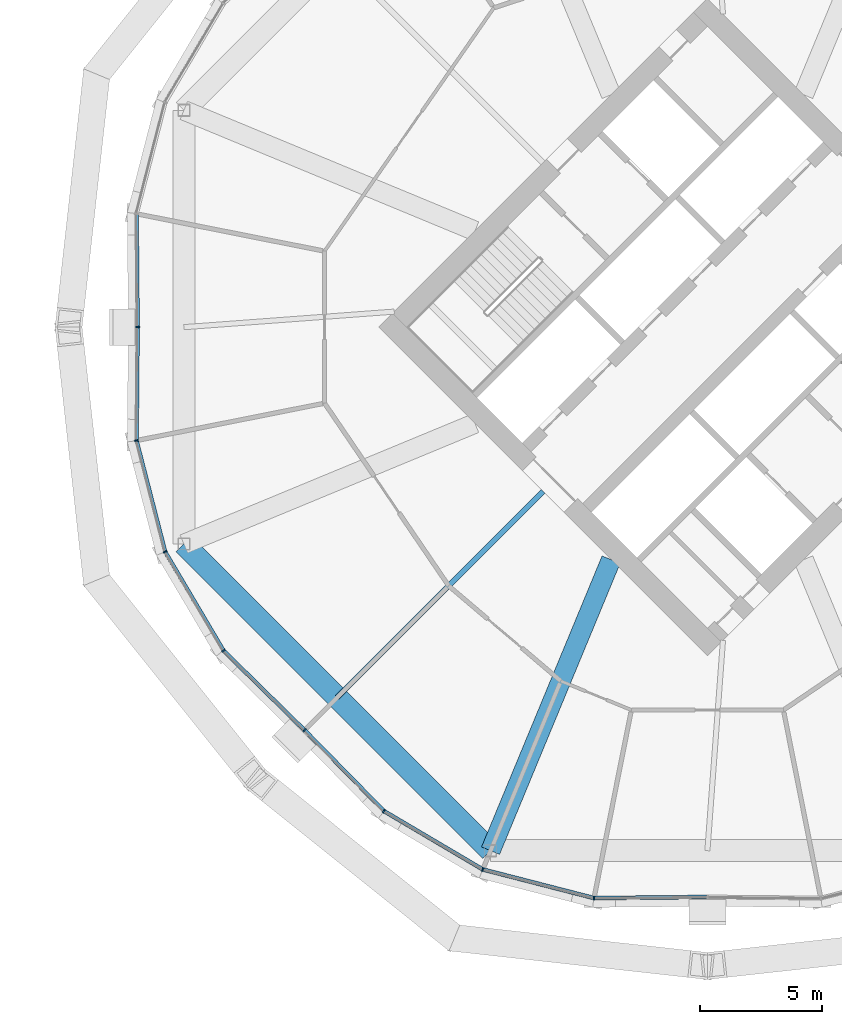
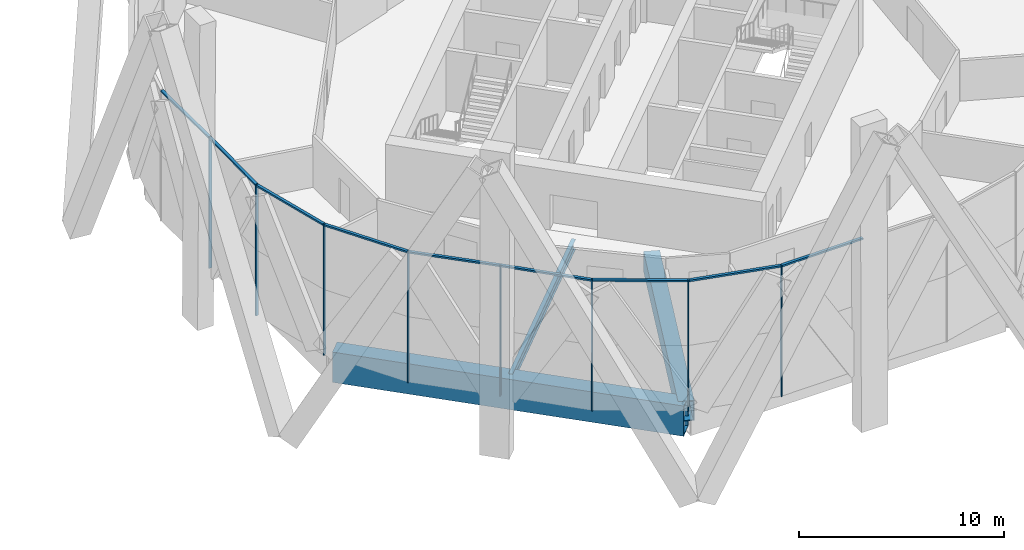
# One storey, part 10 of 30: 17 members, 3 beams, 3 elements without a shape of their own.
"""IFC4 building model written with IfcOpenShell, lengths in metres."""

from ifc_helpers import new_model, si_unit, direction, frame, origin, origin_2d, place, context, subcontext, project, spatial, rectangle, hollow_rectangle, i_section, extrude, material, material_profile, profile_set, type_object, element, aggregate, save


model = new_model("IFC4")

# Units and contexts
model_context = context("Model", 3, precision=1e-05, world=origin(), true_north=direction((0.0, 1.0)))
body_context = subcontext(model_context, "Body", "Model", "MODEL_VIEW")
ifc_project = project(units=[si_unit("LENGTHUNIT", "METRE"), si_unit("AREAUNIT", "SQUARE_METRE"), si_unit("VOLUMEUNIT", "CUBIC_METRE"), si_unit("PLANEANGLEUNIT", "RADIAN"), si_unit("MASSUNIT", "GRAM", prefix="KILO")], contexts=[model_context])

# Site, building, storey
site_placement = place(None, origin())
site = spatial("IfcSite", under=ifc_project, at=site_placement, CompositionType="ELEMENT")
building_placement = place(site_placement, origin())
building = spatial("IfcBuilding", under=site, at=building_placement, Name="Ogive Gate Towers", CompositionType="ELEMENT")
storey_placement = place(building_placement, frame((0.0, 0.0, 99.60009765625)))
storey = spatial("IfcBuildingStorey", under=building, at=storey_placement, Name="L23", CompositionType="ELEMENT", Elevation=99.60009765625)

# Beams
ifc_material_1 = material(Name="Steel SM460", Category="steel")
ifc_material_profile_1 = material_profile(ifc_material_1, hollow_rectangle(XDim=0.89990234375, YDim=1.800048828125, WallThickness=0.080078125, at=origin_2d()), Name="BX 1800x900x80")
ifc_profile_set_1 = profile_set([ifc_material_profile_1], Name="Steel SM460")
beam_type_1 = type_object("IfcBeamType", Name="Edge girder BX 1800x900x80", PredefinedType="BEAM", material=ifc_profile_set_1)
beam_1_placement = place(storey_placement, frame((14.60302734375, -8.863037109375, -1.2001953125), z_axis=(0.707106781187, -0.707106781187, 0.0), x_axis=(0.707106781187, 0.707106781187, 0.0)))
element("IfcBeam", 1, at=beam_1_placement, inside=storey, type_object=beam_type_1, Name="T2/L23/SBM017", PredefinedType="BEAM", context=body_context, shape_type="SweptSolid", body=[
    extrude(hollow_rectangle(XDim=0.89990234375, YDim=1.800048828125, WallThickness=0.080078125, at=origin_2d()), origin(), (0.0, 0.0, 1.0), 17.7255859375),
])
ifc_material_2 = material(Name="Steel SM355", Category="steel")
ifc_material_profile_2 = material_profile(ifc_material_2, i_section(OverallWidth=0.219970703125, OverallDepth=0.60009765625, WebThickness=0.011962890625, FlangeThickness=0.01904296875, FilletRadius=0.02392578125, at=origin_2d()), Name="IPE 600")
ifc_profile_set_2 = profile_set([ifc_material_profile_2], Name="Steel SM355")
beam_type_2 = type_object("IfcBeamType", Name="Radial floor beam IPE 600", PredefinedType="BEAM", material=ifc_profile_set_2)
beam_2_placement = place(storey_placement, frame((29.282470703125, -6.717529296875, -0.60009765625), z_axis=(-0.707106781187, -0.707106781187, 0.0), x_axis=(0.707106781187, -0.707106781187, 0.0)))
element("IfcBeam", 2, at=beam_2_placement, inside=storey, type_object=beam_type_2, Name="T2/L23/SBM002", PredefinedType="BEAM", context=body_context, shape_type="SweptSolid", body=[
    extrude(i_section(OverallWidth=0.219970703125, OverallDepth=0.60009765625, WebThickness=0.011962890625, FlangeThickness=0.01904296875, FilletRadius=0.02392578125, at=origin_2d()), origin(), (0.0, 0.0, 1.0), 11.89697265625),
])

# Curtain wall, member
ifc_material_3 = material(Name="Pale metal aluminium", Category="aluminium")
curtain_wall_type = type_object("IfcCurtainWallType", Name="Tower unitised wall, low zone", PredefinedType="NOTDEFINED", material=ifc_material_3)
curtain_wall_1_placement = place(storey_placement, origin())
curtain_wall_1 = element("IfcCurtainWall", 3, at=curtain_wall_1_placement, inside=storey, type_object=curtain_wall_type, Name="CW1 T2 ECW04", PredefinedType="NOTDEFINED")
ifc_material_profile_3 = material_profile(ifc_material_3, rectangle(XDim=0.159912109375, YDim=0.06005859375, at=origin_2d()), Name="60 x 160 aluminium box")
ifc_profile_set_3 = profile_set([ifc_material_profile_3], Name="Pale metal aluminium")
member_type_1 = type_object("IfcMemberType", Name="Tower unitised wall, low zone mullion 60 x 160", PredefinedType="MULLION", material=ifc_profile_set_3)
member_1_placement = place(storey_placement, frame((12.7099609375, 0.000244140625, -0.300048828125), z_axis=(0.0, 0.0, 1.0), x_axis=(-0.999953926969, -0.009599163462, 0.0)))
member_1 = element("IfcMember", 4, at=member_1_placement, type_object=member_type_1, Name="CW1 mullion", PredefinedType="MULLION", context=body_context, shape_type="SweptSolid", body=[
    extrude(rectangle(XDim=0.159912109375, YDim=0.06005859375, at=origin_2d()), origin(), (0.0, 0.0, 1.0), 7.800048828125),
])

# Curtain wall, members
curtain_wall_2_placement = place(storey_placement, origin())
curtain_wall_2 = element("IfcCurtainWall", 5, at=curtain_wall_2_placement, inside=storey, type_object=curtain_wall_type, Name="CW1 T2 ECW05", PredefinedType="NOTDEFINED")
member_2_placement = place(storey_placement, frame((12.665283203125, -4.635498046875, -0.300048828125), z_axis=(0.0, 0.0, 1.0), x_axis=(-0.992671119641, -0.120847210271, 0.0)))
member_2 = element("IfcMember", 6, at=member_2_placement, type_object=member_type_1, Name="CW1 mullion", PredefinedType="MULLION", context=body_context, shape_type="SweptSolid", body=[
    extrude(rectangle(XDim=0.159912109375, YDim=0.06005859375, at=origin_2d()), origin(), (0.0, 0.0, 1.0), 7.800048828125),
])
member_3_placement = place(storey_placement, frame((13.835205078125, -9.180908203125, -0.300048828125), z_axis=(0.0, 0.0, 1.0), x_axis=(-0.923879532511, -0.382683432365, 0.0)))
member_3 = element("IfcMember", 7, at=member_3_placement, type_object=member_type_1, Name="CW1 mullion", PredefinedType="MULLION", context=body_context, shape_type="SweptSolid", body=[
    extrude(rectangle(XDim=0.159912109375, YDim=0.06005859375, at=origin_2d()), origin(), (0.0, 0.0, 1.0), 7.800048828125),
])
member_4_placement = place(storey_placement, frame((16.22216796875, -13.222412109375, -0.300048828125), z_axis=(0.0, 0.0, 1.0), x_axis=(-0.787387121413, -0.616458855912, 0.0)))
member_4 = element("IfcMember", 8, at=member_4_placement, type_object=member_type_1, Name="CW1 mullion", PredefinedType="MULLION", context=body_context, shape_type="SweptSolid", body=[
    extrude(rectangle(XDim=0.159912109375, YDim=0.06005859375, at=origin_2d()), origin(), (0.0, 0.0, 1.0), 7.800048828125),
])
member_5_placement = place(storey_placement, frame((19.53125, -16.468505859375, -0.300048828125), z_axis=(0.0, 0.0, 1.0), x_axis=(-0.700299028189, -0.713849613797, 0.0)))
member_5 = element("IfcMember", 9, at=member_5_placement, type_object=member_type_1, Name="CW1 mullion", PredefinedType="MULLION", context=body_context, shape_type="SweptSolid", body=[
    extrude(rectangle(XDim=0.159912109375, YDim=0.06005859375, at=origin_2d()), origin(), (0.0, 0.0, 1.0), 7.800048828125),
])

curtain_wall_3_placement = place(storey_placement, origin())
curtain_wall_3 = element("IfcCurtainWall", 10, at=curtain_wall_3_placement, inside=storey, type_object=curtain_wall_type, Name="CW1 T2 ECW06", PredefinedType="NOTDEFINED")
member_6_placement = place(storey_placement, frame((22.777587890625, -19.77783203125, -0.300048828125), z_axis=(0.0, 0.0, 1.0), x_axis=(-0.616458855912, -0.787387121413, 0.0)))
member_6 = element("IfcMember", 11, at=member_6_placement, type_object=member_type_1, Name="CW1 mullion", PredefinedType="MULLION", context=body_context, shape_type="SweptSolid", body=[
    extrude(rectangle(XDim=0.159912109375, YDim=0.06005859375, at=origin_2d()), origin(), (0.0, 0.0, 1.0), 7.800048828125),
])
member_7_placement = place(storey_placement, frame((26.819091796875, -22.164794921875, -0.300048828125), z_axis=(0.0, 0.0, 1.0), x_axis=(-0.382683432365, -0.923879532511, 0.0)))
member_7 = element("IfcMember", 12, at=member_7_placement, type_object=member_type_1, Name="CW1 mullion", PredefinedType="MULLION", context=body_context, shape_type="SweptSolid", body=[
    extrude(rectangle(XDim=0.159912109375, YDim=0.06005859375, at=origin_2d()), origin(), (0.0, 0.0, 1.0), 7.800048828125),
])
member_8_placement = place(storey_placement, frame((31.364501953125, -23.334716796875, -0.300048828125), z_axis=(0.0, 0.0, 1.0), x_axis=(-0.120847210271, -0.992671119641, 0.0)))
member_8 = element("IfcMember", 13, at=member_8_placement, type_object=member_type_1, Name="CW1 mullion", PredefinedType="MULLION", context=body_context, shape_type="SweptSolid", body=[
    extrude(rectangle(XDim=0.159912109375, YDim=0.06005859375, at=origin_2d()), origin(), (0.0, 0.0, 1.0), 7.800048828125),
])

# Member
ifc_material_profile_4 = material_profile(ifc_material_3, rectangle(XDim=0.159912109375, YDim=0.10009765625, at=origin_2d()), Name="100 x 160 aluminium box")
ifc_profile_set_4 = profile_set([ifc_material_profile_4], Name="Pale metal aluminium")
member_type_2 = type_object("IfcMemberType", Name="Tower unitised wall, low zone transom 100 x 160", PredefinedType="USERDEFINED", material=ifc_profile_set_4)
member_9_placement = place(storey_placement, frame((12.665771484375, 4.60791015625, 7.449951171875), z_axis=(0.009599557663, -0.999953923185, 0.0), x_axis=(0.999953923185, 0.009599557663, 0.0)))
member_9 = element("IfcMember", 14, at=member_9_placement, type_object=member_type_2, Name="CW1 transom", ObjectType="TRANSOM", PredefinedType="USERDEFINED", context=body_context, shape_type="SweptSolid", body=[
    extrude(rectangle(XDim=0.159912109375, YDim=0.10009765625, at=origin_2d()), origin(), (0.0, 0.0, 1.0), 4.577880859375),
])

aggregate(curtain_wall_1, [member_1, member_9])

member_10_placement = place(storey_placement, frame((12.709716796875, -0.0302734375, 7.449951171875), z_axis=(-0.009599557663, -0.999953923185, 0.0), x_axis=(0.999953923185, -0.009599557663, 0.0)))
member_10 = element("IfcMember", 15, at=member_10_placement, type_object=member_type_2, Name="CW1 transom", ObjectType="TRANSOM", PredefinedType="USERDEFINED", context=body_context, shape_type="SweptSolid", body=[
    extrude(rectangle(XDim=0.159912109375, YDim=0.10009765625, at=origin_2d()), origin(), (0.0, 0.0, 1.0), 4.577880859375),
])

member_11_placement = place(storey_placement, frame((12.67236328125, -4.661865234375, 7.449951171875), z_axis=(0.249241307087, -0.968441413221, 0.0), x_axis=(0.968441413221, 0.249241307087, 0.0)))
member_11 = element("IfcMember", 16, at=member_11_placement, type_object=member_type_2, Name="CW1 transom", ObjectType="TRANSOM", PredefinedType="USERDEFINED", context=body_context, shape_type="SweptSolid", body=[
    extrude(rectangle(XDim=0.159912109375, YDim=0.10009765625, at=origin_2d()), origin(), (0.0, 0.0, 1.0), 4.63916015625),
])

member_12_placement = place(storey_placement, frame((13.84912109375, -9.204345703125, 7.449951171875), z_axis=(0.508578598665, -0.861015568373, 0.0), x_axis=(0.861015568373, 0.508578598665, 0.0)))
member_12 = element("IfcMember", 17, at=member_12_placement, type_object=member_type_2, Name="CW1 transom", ObjectType="TRANSOM", PredefinedType="USERDEFINED", context=body_context, shape_type="SweptSolid", body=[
    extrude(rectangle(XDim=0.159912109375, YDim=0.10009765625, at=origin_2d()), origin(), (0.0, 0.0, 1.0), 4.63916015625),
])

member_13_placement = place(storey_placement, frame((16.24169921875, -13.241455078125, 7.449951171875), z_axis=(0.71387313872, -0.70027504726, 0.0), x_axis=(0.70027504726, 0.71387313872, 0.0)))
member_13 = element("IfcMember", 18, at=member_13_placement, type_object=member_type_2, Name="CW1 transom", ObjectType="TRANSOM", PredefinedType="USERDEFINED", context=body_context, shape_type="SweptSolid", body=[
    extrude(rectangle(XDim=0.159912109375, YDim=0.10009765625, at=origin_2d()), origin(), (0.0, 0.0, 1.0), 4.578369140625),
])

aggregate(curtain_wall_2, [member_2, member_10, member_3, member_11, member_4, member_12, member_5, member_13])

member_14_placement = place(storey_placement, frame((19.552490234375, -16.489990234375, 7.449951171875), z_axis=(0.70027504726, -0.71387313872, 0.0), x_axis=(0.71387313872, 0.70027504726, 0.0)))
member_14 = element("IfcMember", 19, at=member_14_placement, type_object=member_type_2, Name="CW1 transom", ObjectType="TRANSOM", PredefinedType="USERDEFINED", context=body_context, shape_type="SweptSolid", body=[
    extrude(rectangle(XDim=0.159912109375, YDim=0.10009765625, at=origin_2d()), origin(), (0.0, 0.0, 1.0), 4.578369140625),
])

member_15_placement = place(storey_placement, frame((22.80126953125, -19.79150390625, 7.449951171875), z_axis=(0.861015568373, -0.508578598665, 0.0), x_axis=(0.508578598665, 0.861015568373, 0.0)))
member_15 = element("IfcMember", 20, at=member_15_placement, type_object=member_type_2, Name="CW1 transom", ObjectType="TRANSOM", PredefinedType="USERDEFINED", context=body_context, shape_type="SweptSolid", body=[
    extrude(rectangle(XDim=0.159912109375, YDim=0.10009765625, at=origin_2d()), origin(), (0.0, 0.0, 1.0), 4.63916015625),
])

member_16_placement = place(storey_placement, frame((26.845458984375, -22.17138671875, 7.449951171875), z_axis=(0.968441413221, -0.249241307087, 0.0), x_axis=(0.249241307087, 0.968441413221, 0.0)))
member_16 = element("IfcMember", 21, at=member_16_placement, type_object=member_type_2, Name="CW1 transom", ObjectType="TRANSOM", PredefinedType="USERDEFINED", context=body_context, shape_type="SweptSolid", body=[
    extrude(rectangle(XDim=0.159912109375, YDim=0.10009765625, at=origin_2d()), origin(), (0.0, 0.0, 1.0), 4.63916015625),
])

member_17_placement = place(storey_placement, frame((31.39208984375, -23.334228515625, 7.449951171875), z_axis=(0.999953923185, 0.009599557663, 0.0), x_axis=(-0.009599557663, 0.999953923185, 0.0)))
member_17 = element("IfcMember", 22, at=member_17_placement, type_object=member_type_2, Name="CW1 transom", ObjectType="TRANSOM", PredefinedType="USERDEFINED", context=body_context, shape_type="SweptSolid", body=[
    extrude(rectangle(XDim=0.159912109375, YDim=0.10009765625, at=origin_2d()), origin(), (0.0, 0.0, 1.0), 4.577880859375),
])

aggregate(curtain_wall_3, [member_6, member_14, member_7, member_15, member_8, member_16, member_17])

# Beam
ifc_material_profile_5 = material_profile(ifc_material_1, hollow_rectangle(XDim=0.800048828125, YDim=1.199951171875, WallThickness=0.050048828125, at=origin_2d()), Name="BX 1200x800x50")
ifc_profile_set_5 = profile_set([ifc_material_profile_5], Name="Steel SM460")
beam_type_3 = type_object("IfcBeamType", Name="Transfer radial beam BX 1200x800x50", PredefinedType="BEAM", material=ifc_profile_set_5)
beam_3_placement = place(storey_placement, frame((32.06494140625, -9.5, -0.900146484375), z_axis=(-0.382689470177, -0.923877031545, 0.0), x_axis=(0.923877031545, -0.382689470177, 0.0)))
element("IfcBeam", 23, at=beam_3_placement, inside=storey, type_object=beam_type_3, Name="T2/L23/SBM003", PredefinedType="BEAM", context=body_context, shape_type="SweptSolid", body=[
    extrude(hollow_rectangle(XDim=0.800048828125, YDim=1.199951171875, WallThickness=0.050048828125, at=origin_2d()), origin(), (0.0, 0.0, 1.0), 12.877197265625),
])

save(model, "model.ifc")
